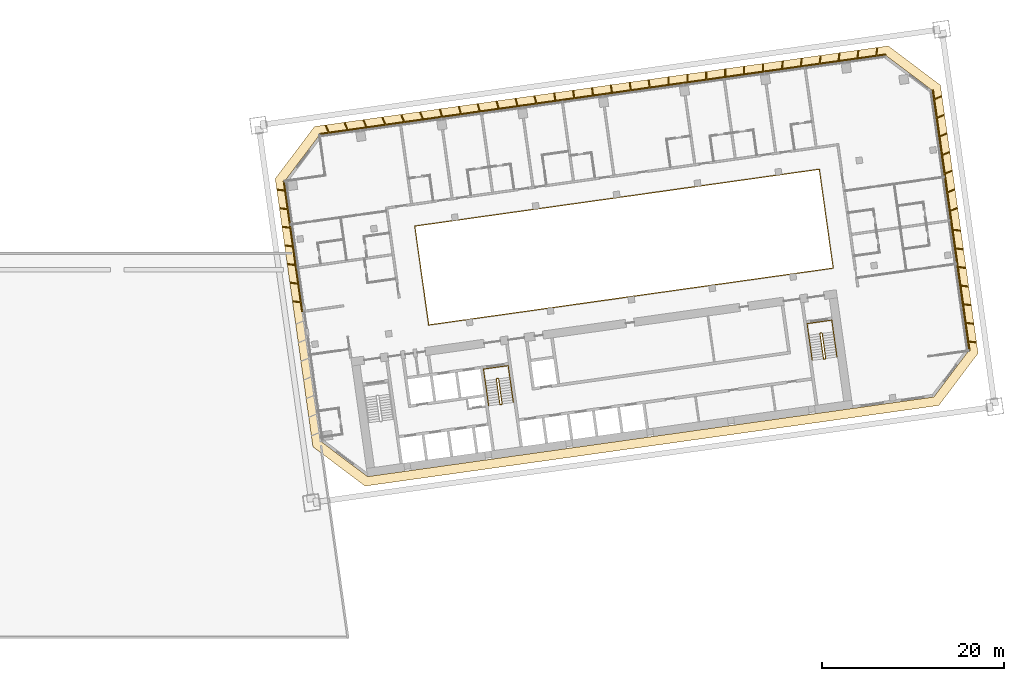
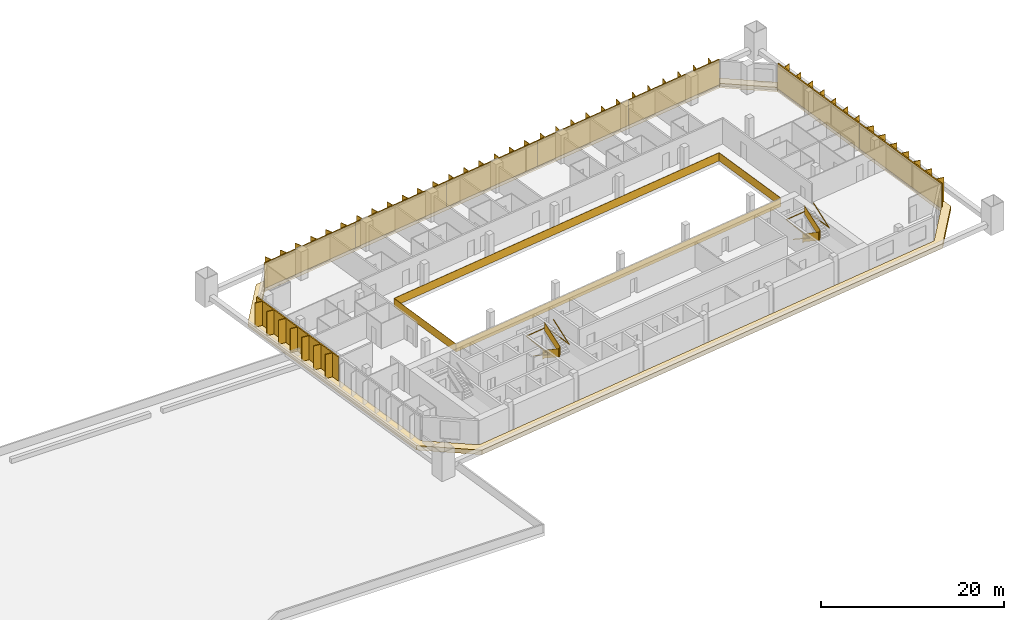
# One storey, part 46 of 46: 8 shading devices, 5 railings, 1 covering.
"""IFC4 building model written with IfcOpenShell, lengths in metres."""

from ifc_helpers import new_model, si_unit, direction, frame, origin, origin_2d, place, context, subcontext, project, spatial, polyline, rectangle, outline, extrude, material, layer, layer_set, type_object, element, save


model = new_model("IFC4")

# Units and contexts
model_context = context("Model", 3, precision=1e-05, world=origin(), true_north=direction((0.0, 1.0)))
body_context = subcontext(model_context, "Body", "Model", "MODEL_VIEW")
ifc_project = project(units=[si_unit("LENGTHUNIT", "METRE"), si_unit("AREAUNIT", "SQUARE_METRE"), si_unit("VOLUMEUNIT", "CUBIC_METRE"), si_unit("PLANEANGLEUNIT", "RADIAN"), si_unit("MASSUNIT", "GRAM", prefix="KILO")], contexts=[model_context])

# Site, building, storey
site_placement = place(None, origin())
site = spatial("IfcSite", under=ifc_project, at=site_placement, CompositionType="ELEMENT")
building_placement = place(site_placement, origin())
building = spatial("IfcBuilding", under=site, at=building_placement, Name="Mirante Cascada Hotel Towers", CompositionType="ELEMENT")
storey_placement = place(building_placement, frame((0.0, 0.0, 39.5)))
storey = spatial("IfcBuildingStorey", under=building, at=storey_placement, Name="L06", CompositionType="ELEMENT", Elevation=39.5)

# Railing
ifc_material_1 = material(Name="Toughened glass with stainless steel handrail", Category="steel")
railing_type_1 = type_object("IfcRailingType", Name="Atrium guard 1100 glass balustrade", PredefinedType="GUARDRAIL", material=ifc_material_1)
railing_1_placement = place(storey_placement, frame((43.8418, -3.4881, 0.0)))
element("IfcRailing", 1, at=railing_1_placement, inside=storey, type_object=railing_type_1, Name="GUARD 2-L06-1", PredefinedType="GUARDRAIL", context=body_context, shape_type="SweptSolid", body=[
    extrude(rectangle(XDim=0.048, YDim=0.048, at=origin_2d()), frame((0.0, 0.0, 1.076), z_axis=(0.9902681, 0.1391732, 0.0), x_axis=(-0.1391732, 0.9902681, 0.0)), (0.0, 0.0, 1.0), 45.0),
    extrude(rectangle(XDim=0.02, YDim=1.052, at=origin_2d()), frame((0.0, 0.0, 0.526), z_axis=(0.9902681, 0.1391732, 0.0), x_axis=(-0.1391732, 0.9902681, 0.0)), (0.0, 0.0, 1.0), 45.0),
    extrude(rectangle(XDim=0.048, YDim=0.048, at=origin_2d()), frame((44.5621, 6.2628, 1.076), z_axis=(-0.1391721, 0.9902682, 0.0), x_axis=(-0.9902682, -0.1391721, 0.0)), (0.0, 0.0, 1.0), 11.0001),
    extrude(rectangle(XDim=0.02, YDim=1.052, at=origin_2d()), frame((44.5621, 6.2628, 0.526), z_axis=(-0.1391721, 0.9902682, 0.0), x_axis=(-0.9902682, -0.1391721, 0.0)), (0.0, 0.0, 1.0), 11.0001),
    extrude(rectangle(XDim=0.048, YDim=0.048, at=origin_2d()), frame((43.0312, 17.1558, 1.076), z_axis=(-0.9902681, -0.1391732, 0.0), x_axis=(0.1391732, -0.9902681, 0.0)), (0.0, 0.0, 1.0), 45.0),
    extrude(rectangle(XDim=0.02, YDim=1.052, at=origin_2d()), frame((43.0312, 17.1558, 0.526), z_axis=(-0.9902681, -0.1391732, 0.0), x_axis=(0.1391732, -0.9902681, 0.0)), (0.0, 0.0, 1.0), 45.0),
    extrude(rectangle(XDim=0.048, YDim=0.048, at=origin_2d()), frame((-1.5309, 10.893, 1.076), z_axis=(0.1391721, -0.9902682, 0.0), x_axis=(0.9902682, 0.1391721, 0.0)), (0.0, 0.0, 1.0), 11.0001),
    extrude(rectangle(XDim=0.02, YDim=1.052, at=origin_2d()), frame((-1.5309, 10.893, 0.526), z_axis=(0.1391721, -0.9902682, 0.0), x_axis=(0.9902682, 0.1391721, 0.0)), (0.0, 0.0, 1.0), 11.0001),
])

# Covering
ifc_material_2 = material(Name="Precast concrete C40/50 white", Category="concrete")
ifc_layer = layer(ifc_material_2, 0.6)
ifc_layer_set = layer_set([ifc_layer], Name="Precast concrete SUNSHADE band 1000x600")
covering_type = type_object("IfcCoveringType", Name="Precast concrete SUNSHADE band 1000x600", PredefinedType="CLADDING", material=ifc_layer_set)
covering_placement = place(storey_placement, frame((0.0, 0.0, -0.45)))
element("IfcCovering", 2, at=covering_placement, inside=storey, type_object=covering_type, Name="Precast concrete SUNSHADE band T2 L06", PredefinedType="CLADDING", context=body_context, shape_type="SweptSolid", body=[
    extrude(outline(polyline([(26.9341, 12.6299), (31.2626, 18.374), (94.4698, 27.2572), (100.2139, 22.9287), (104.3652, -6.6094), (100.0367, -12.3535), (36.8295, -21.2367), (31.0854, -16.9082), (26.9341, 12.6299)]), holes=[polyline([(103.3173, -6.3384), (99.2813, 22.3794), (94.1988, 26.2093), (31.8119, 17.4414), (27.982, 12.3589), (32.018, -16.3589), (37.1005, -20.1888), (99.4874, -11.4209), (103.3173, -6.3384)])]), origin(), (0.0, 0.0, 1.0), 0.6),
])

# Railings
ifc_material_3 = material(Name="Painted steel", Category="steel")
railing_type_2 = type_object("IfcRailingType", Name="Stair guard 1100 steel balustrade", PredefinedType="GUARDRAIL", material=ifc_material_3)
railing_2_placement = place(storey_placement, frame((51.4864, -9.3815, 0.0)))
element("IfcRailing", 3, at=railing_2_placement, inside=storey, type_object=railing_type_2, Name="L06 ST2-B stair guard 1", PredefinedType="GUARDRAIL", context=body_context, shape_type="SweptSolid", body=[
    extrude(rectangle(XDim=0.048, YDim=0.048, at=origin_2d()), frame((0.0, 0.0, 1.076), z_axis=(-0.9902408, -0.1393672, 0.0), x_axis=(0.1393672, -0.9902408, 0.0)), (0.0, 0.0, 1.0), 0.15),
    extrude(rectangle(XDim=0.02, YDim=1.052, at=origin_2d()), frame((0.0, 0.0, 0.526), z_axis=(-0.9902408, -0.1393672, 0.0), x_axis=(0.1393672, -0.9902408, 0.0)), (0.0, 0.0, 1.0), 0.15),
    extrude(rectangle(XDim=0.048, YDim=0.048, at=origin_2d()), frame((-0.1485, -0.0209, 1.076), z_axis=(-0.6020331, -0.7984711, 0.0), x_axis=(0.7984711, -0.6020331, 0.0)), (0.0, 0.9253398, 0.3791387), 0.1866),
    extrude(rectangle(XDim=0.02, YDim=1.052, at=origin_2d()), frame((-0.1485, -0.0209, 0.526), z_axis=(-0.6020331, -0.7984711, 0.0), x_axis=(0.7984711, -0.6020331, 0.0)), (0.0, 0.9253398, 0.3791387), 0.1866),
    extrude(rectangle(XDim=0.048, YDim=0.048, at=origin_2d()), frame((-0.1911, -0.0774, 1.2487), z_axis=(0.139181, -0.990267, 0.0), x_axis=(0.990267, 0.139181, 0.0)), (0.0, 0.5250347, 0.8510808), 3.2899),
    extrude(rectangle(XDim=0.02, YDim=1.052, at=origin_2d()), frame((-0.1911, -0.0774, 0.6987), z_axis=(0.139181, -0.990267, 0.0), x_axis=(0.990267, 0.139181, 0.0)), (0.0, 0.5250347, 0.8510808), 3.2899),
    extrude(rectangle(XDim=0.048, YDim=0.048, at=origin_2d()), frame((0.1986, -2.8501, 2.976), z_axis=(0.9944441, -0.1052656, 0.0), x_axis=(0.1052656, 0.9944441, 0.0)), (0.0, 0.0, 1.0), 0.2061),
    extrude(rectangle(XDim=0.02, YDim=1.052, at=origin_2d()), frame((0.1986, -2.8501, 2.426), z_axis=(0.9944441, -0.1052656, 0.0), x_axis=(0.1052656, 0.9944441, 0.0)), (0.0, 0.0, 1.0), 0.2061),
    extrude(rectangle(XDim=0.048, YDim=0.048, at=origin_2d()), frame((0.4036, -2.8718, 2.976), z_axis=(-0.9902408, -0.1393672, 0.0), x_axis=(0.1393672, -0.9902408, 0.0)), (0.0, 0.0, 1.0), 0.15),
    extrude(rectangle(XDim=0.02, YDim=1.052, at=origin_2d()), frame((0.4036, -2.8718, 2.426), z_axis=(-0.9902408, -0.1393672, 0.0), x_axis=(0.1393672, -0.9902408, 0.0)), (0.0, 0.0, 1.0), 0.15),
    extrude(rectangle(XDim=0.048, YDim=0.048, at=origin_2d()), frame((0.2551, -2.8927, 2.976), z_axis=(0.9268624, 0.3754011, 0.0), x_axis=(-0.3754011, 0.9268624, 0.0)), (0.0, 0.6421217, 0.7666028), 0.269),
    extrude(rectangle(XDim=0.02, YDim=1.052, at=origin_2d()), frame((0.2551, -2.8927, 2.426), z_axis=(0.9268624, 0.3754011, 0.0), x_axis=(-0.3754011, 0.9268624, 0.0)), (0.0, 0.6421217, 0.7666028), 0.269),
    extrude(rectangle(XDim=0.048, YDim=0.048, at=origin_2d()), frame((0.4462, -2.8153, 3.1487), z_axis=(-0.139181, 0.990267, 0.0), x_axis=(-0.990267, -0.139181, 0.0)), (0.0, 0.5250347, 0.8510808), 3.2899),
    extrude(rectangle(XDim=0.02, YDim=1.052, at=origin_2d()), frame((0.4462, -2.8153, 2.5987), z_axis=(-0.139181, 0.990267, 0.0), x_axis=(-0.990267, -0.139181, 0.0)), (0.0, 0.5250347, 0.8510808), 3.2899),
])
railing_3_placement = place(storey_placement, frame((87.1361, -4.3713, 0.0)))
element("IfcRailing", 4, at=railing_3_placement, inside=storey, type_object=railing_type_2, Name="L06 ST2-C stair guard 1", PredefinedType="GUARDRAIL", context=body_context, shape_type="SweptSolid", body=[
    extrude(rectangle(XDim=0.048, YDim=0.048, at=origin_2d()), frame((0.0, 0.0, 1.076), z_axis=(-0.9902537, -0.1392753, 0.0), x_axis=(0.1392753, -0.9902537, 0.0)), (0.0, 0.0, 1.0), 0.1501),
    extrude(rectangle(XDim=0.02, YDim=1.052, at=origin_2d()), frame((0.0, 0.0, 0.526), z_axis=(-0.9902537, -0.1392753, 0.0), x_axis=(0.1392753, -0.9902537, 0.0)), (0.0, 0.0, 1.0), 0.1501),
    extrude(rectangle(XDim=0.048, YDim=0.048, at=origin_2d()), frame((-0.1486, -0.0209, 1.076), z_axis=(-0.601811, -0.7986386, 0.0), x_axis=(0.7986386, -0.601811, 0.0)), (0.0, 0.925603, 0.3784959), 0.1866),
    extrude(rectangle(XDim=0.02, YDim=1.052, at=origin_2d()), frame((-0.1486, -0.0209, 0.526), z_axis=(-0.601811, -0.7986386, 0.0), x_axis=(0.7986386, -0.601811, 0.0)), (0.0, 0.925603, 0.3784959), 0.1866),
    extrude(rectangle(XDim=0.048, YDim=0.048, at=origin_2d()), frame((-0.1911, -0.0773, 1.2487), z_axis=(0.139176, -0.9902677, 0.0), x_axis=(0.9902677, 0.139176, 0.0)), (0.0, 0.5250212, 0.8510891), 3.29),
    extrude(rectangle(XDim=0.02, YDim=1.052, at=origin_2d()), frame((-0.1911, -0.0773, 0.6987), z_axis=(0.139176, -0.9902677, 0.0), x_axis=(0.9902677, 0.139176, 0.0)), (0.0, 0.5250212, 0.8510891), 3.29),
    extrude(rectangle(XDim=0.048, YDim=0.048, at=origin_2d()), frame((0.1986, -2.8501, 2.976), z_axis=(0.9944441, -0.1052656, 0.0), x_axis=(0.1052656, 0.9944441, 0.0)), (0.0, 0.0, 1.0), 0.2061),
    extrude(rectangle(XDim=0.02, YDim=1.052, at=origin_2d()), frame((0.1986, -2.8501, 2.426), z_axis=(0.9944441, -0.1052656, 0.0), x_axis=(0.1052656, 0.9944441, 0.0)), (0.0, 0.0, 1.0), 0.2061),
    extrude(rectangle(XDim=0.048, YDim=0.048, at=origin_2d()), frame((0.4036, -2.8718, 2.976), z_axis=(-0.9903454, -0.1386217, 0.0), x_axis=(0.1386217, -0.9903454, 0.0)), (0.0, 0.0, 1.0), 0.15),
    extrude(rectangle(XDim=0.02, YDim=1.052, at=origin_2d()), frame((0.4036, -2.8718, 2.426), z_axis=(-0.9903454, -0.1386217, 0.0), x_axis=(0.1386217, -0.9903454, 0.0)), (0.0, 0.0, 1.0), 0.15),
    extrude(rectangle(XDim=0.048, YDim=0.048, at=origin_2d()), frame((0.255, -2.8926, 2.976), z_axis=(0.9270311, 0.3749843, 0.0), x_axis=(-0.3749843, 0.9270311, 0.0)), (0.0, 0.6421903, 0.7665452), 0.2689),
    extrude(rectangle(XDim=0.02, YDim=1.052, at=origin_2d()), frame((0.255, -2.8926, 2.426), z_axis=(0.9270311, 0.3749843, 0.0), x_axis=(-0.3749843, 0.9270311, 0.0)), (0.0, 0.6421903, 0.7665452), 0.2689),
    extrude(rectangle(XDim=0.048, YDim=0.048, at=origin_2d()), frame((0.4461, -2.8153, 3.1487), z_axis=(-0.139176, 0.9902677, 0.0), x_axis=(-0.9902677, -0.139176, 0.0)), (0.0, 0.5250212, 0.8510891), 3.29),
    extrude(rectangle(XDim=0.02, YDim=1.052, at=origin_2d()), frame((0.4461, -2.8153, 2.5987), z_axis=(-0.139176, 0.9902677, 0.0), x_axis=(-0.9902677, -0.139176, 0.0)), (0.0, 0.5250212, 0.8510891), 3.29),
])
ifc_material_4 = material(Name="Painted steel", Category="steel")
railing_type_3 = type_object("IfcRailingType", Name="Stair handrail 900 steel tube", PredefinedType="HANDRAIL", material=ifc_material_4)
railing_4_placement = place(storey_placement, frame((50.0575, -9.6328, 0.1727)))
element("IfcRailing", 5, at=railing_4_placement, inside=storey, type_object=railing_type_3, Name="L06 ST2-B stair handrail 1", PredefinedType="HANDRAIL", context=body_context, shape_type="SweptSolid", body=[
    extrude(rectangle(XDim=0.048, YDim=0.048, at=origin_2d()), frame((0.0, 0.0, 0.876), z_axis=(0.139176, -0.9902677, 0.0), x_axis=(0.9902677, 0.139176, 0.0)), (0.0, 0.5250212, 0.8510891), 3.29),
    extrude(rectangle(XDim=0.048, YDim=0.048, at=origin_2d()), frame((0.3897, -2.7728, 2.6033), z_axis=(-0.1391707, 0.9902684, 0.0), x_axis=(-0.9902684, -0.1391707, 0.0)), (0.0, 0.0420846, 0.999114), 4.1036),
    extrude(rectangle(XDim=0.048, YDim=0.048, at=origin_2d()), frame((-0.1809, 1.2873, 2.776), z_axis=(0.9902641, 0.1392013, 0.0), x_axis=(-0.1392013, 0.9902641, 0.0)), (0.0, 0.0, 1.0), 2.75),
    extrude(rectangle(XDim=0.048, YDim=0.048, at=origin_2d()), frame((2.5423, 1.6701, 2.776), z_axis=(0.1391707, -0.9902684, 0.0), x_axis=(0.9902684, 0.1391707, 0.0)), (0.0, 0.0, 1.0), 4.1),
    extrude(rectangle(XDim=0.048, YDim=0.048, at=origin_2d()), frame((3.1129, -2.39, 2.776), z_axis=(-0.139181, 0.990267, 0.0), x_axis=(-0.990267, -0.139181, 0.0)), (0.0, 0.5250347, 0.8510808), 3.2899),
])
railing_5_placement = place(storey_placement, frame((85.7071, -4.6226, 0.1727)))
element("IfcRailing", 6, at=railing_5_placement, inside=storey, type_object=railing_type_3, Name="L06 ST2-C stair handrail 1", PredefinedType="HANDRAIL", context=body_context, shape_type="SweptSolid", body=[
    extrude(rectangle(XDim=0.048, YDim=0.048, at=origin_2d()), frame((0.0, 0.0, 0.876), z_axis=(0.139181, -0.990267, 0.0), x_axis=(0.990267, 0.139181, 0.0)), (0.0, 0.5250347, 0.8510808), 3.2899),
    extrude(rectangle(XDim=0.048, YDim=0.048, at=origin_2d()), frame((0.3897, -2.7727, 2.6033), z_axis=(-0.1391707, 0.9902684, 0.0), x_axis=(-0.9902684, -0.1391707, 0.0)), (0.0, 0.0420846, 0.999114), 4.1036),
    extrude(rectangle(XDim=0.048, YDim=0.048, at=origin_2d()), frame((-0.1809, 1.2874, 2.776), z_axis=(0.9902691, 0.1391657, 0.0), x_axis=(-0.1391657, 0.9902691, 0.0)), (0.0, 0.0, 1.0), 2.75),
    extrude(rectangle(XDim=0.048, YDim=0.048, at=origin_2d()), frame((2.5423, 1.6701, 2.776), z_axis=(0.1391947, -0.990265, 0.0), x_axis=(0.990265, 0.1391947, 0.0)), (0.0, 0.0, 1.0), 4.1),
    extrude(rectangle(XDim=0.048, YDim=0.048, at=origin_2d()), frame((3.113, -2.39, 2.776), z_axis=(-0.139181, 0.990267, 0.0), x_axis=(-0.990267, -0.139181, 0.0)), (0.0, 0.5250347, 0.8510808), 3.2899),
])

# Shading devices
ifc_material_5 = material(Name="White precast concrete C50/60 fin", Category="concrete")
shading_device_type = type_object("IfcShadingDeviceType", Name="Vertical fin set 4500x900", PredefinedType="USERDEFINED", material=ifc_material_5)
shading_device_1_placement = place(storey_placement, origin())
element("IfcShadingDevice", 7, at=shading_device_1_placement, inside=storey, type_object=shading_device_type, Name="FIN T2 L06 front 1", ObjectType="FIN", PredefinedType="USERDEFINED", context=body_context, shape_type="SweptSolid", body=[
    extrude(outline(polyline([(82.8967, 25.5893), (82.7946, 24.758), (84.7922, 25.0387), (84.8968, 25.8913), (84.9762, 25.8815), (84.8742, 25.0503), (86.8717, 25.331), (86.9764, 26.1835), (87.0558, 26.1738), (86.9537, 25.3425), (88.9513, 25.6233), (89.056, 26.4758), (89.1354, 26.4661), (89.0333, 25.6348), (91.0308, 25.9155), (91.1355, 26.7681), (91.2149, 26.7583), (91.1129, 25.9271), (93.1104, 26.2078), (93.2151, 27.0603), (93.2945, 27.0506), (93.1924, 26.2193), (94.1779, 26.3578), (94.1988, 26.2093), (81.7214, 24.4557), (81.7006, 24.6042), (82.7126, 24.7465), (82.8173, 25.599), (82.8967, 25.5893)])), origin(), (0.0, 0.0, 1.0), 3.35),
])
shading_device_2_placement = place(storey_placement, origin())
element("IfcShadingDevice", 8, at=shading_device_2_placement, inside=storey, type_object=shading_device_type, Name="FIN T2 L06 front 2", ObjectType="FIN", PredefinedType="USERDEFINED", context=body_context, shape_type="SweptSolid", body=[
    extrude(outline(polyline([(70.3021, 23.8476), (70.3094, 23.0033), (72.3091, 23.2844), (72.3016, 24.1392), (72.3816, 24.1399), (72.389, 23.2956), (74.3886, 23.5766), (74.3812, 24.4314), (74.4612, 24.4321), (74.4686, 23.5878), (76.4682, 23.8689), (76.4608, 24.7237), (76.5407, 24.7244), (76.5481, 23.8801), (78.5478, 24.1611), (78.5403, 25.0159), (78.6203, 25.0166), (78.6277, 24.1724), (80.6273, 24.4534), (80.6199, 25.3082), (80.6999, 25.3089), (80.7072, 24.4646), (81.7006, 24.6042), (81.7214, 24.4557), (69.2441, 22.7021), (69.2232, 22.8507), (70.2295, 22.9921), (70.2221, 23.8469), (70.3021, 23.8476)])), origin(), (0.0, 0.0, 1.0), 3.35),
])
shading_device_3_placement = place(storey_placement, origin())
element("IfcShadingDevice", 9, at=shading_device_3_placement, inside=storey, type_object=shading_device_type, Name="FIN T2 L06 front 3", ObjectType="FIN", PredefinedType="USERDEFINED", context=body_context, shape_type="SweptSolid", body=[
    extrude(outline(polyline([(57.7069, 22.0905), (57.8252, 21.2488), (59.8255, 21.5299), (59.7072, 22.3716), (59.7865, 22.3828), (59.9048, 21.541), (61.9051, 21.8222), (61.7868, 22.6639), (61.866, 22.675), (61.9843, 21.8333), (63.9847, 22.1144), (63.8664, 22.9562), (63.9456, 22.9673), (64.0639, 22.1256), (66.0642, 22.4067), (65.9459, 23.2484), (66.0251, 23.2596), (66.1434, 22.4178), (68.1438, 22.699), (68.0255, 23.5407), (68.1047, 23.5518), (68.223, 22.7101), (69.2232, 22.8507), (69.2441, 22.7021), (56.7667, 20.9485), (56.7458, 21.0971), (57.746, 21.2376), (57.6277, 22.0794), (57.7069, 22.0905)])), origin(), (0.0, 0.0, 1.0), 3.35),
])
shading_device_4_placement = place(storey_placement, origin())
element("IfcShadingDevice", 10, at=shading_device_4_placement, inside=storey, type_object=shading_device_type, Name="FIN T2 L06 front 4", ObjectType="FIN", PredefinedType="USERDEFINED", context=body_context, shape_type="SweptSolid", body=[
    extrude(outline(polyline([(45.1132, 20.3181), (45.3416, 19.4943), (47.3413, 19.7754), (47.1157, 20.589), (47.1928, 20.6103), (47.4212, 19.7866), (49.4209, 20.0676), (49.1952, 20.8812), (49.2723, 20.9026), (49.5008, 20.0789), (51.5004, 20.3599), (51.2748, 21.1735), (51.3519, 21.1949), (51.5803, 20.3711), (53.58, 20.6521), (53.3544, 21.4657), (53.4314, 21.4871), (53.6599, 20.6634), (55.6595, 20.9444), (55.4339, 21.758), (55.511, 21.7794), (55.7394, 20.9556), (56.7458, 21.0971), (56.7667, 20.9485), (44.2893, 19.195), (44.2684, 19.3435), (45.2617, 19.4831), (45.0361, 20.2967), (45.1132, 20.3181)])), origin(), (0.0, 0.0, 1.0), 3.35),
])
shading_device_5_placement = place(storey_placement, origin())
element("IfcShadingDevice", 11, at=shading_device_5_placement, inside=storey, type_object=shading_device_type, Name="FIN T2 L06 front 5", ObjectType="FIN", PredefinedType="USERDEFINED", context=body_context, shape_type="SweptSolid", body=[
    extrude(outline(polyline([(32.5229, 18.5306), (32.8586, 17.7399), (34.8561, 18.0207), (34.5289, 18.7916), (34.6025, 18.8229), (34.9381, 18.0322), (36.9357, 18.3129), (36.6084, 19.0839), (36.6821, 19.1151), (37.0177, 18.3245), (39.0152, 18.6052), (38.688, 19.3761), (38.7616, 19.4074), (39.0973, 18.6167), (41.0948, 18.8975), (40.7676, 19.6684), (40.8412, 19.6997), (41.1768, 18.909), (43.1744, 19.1897), (42.8471, 19.9607), (42.9208, 19.9919), (43.2564, 19.2013), (44.2684, 19.3435), (44.2893, 19.195), (31.8119, 17.4414), (31.791, 17.5899), (32.7765, 17.7284), (32.4493, 18.4994), (32.5229, 18.5306)])), origin(), (0.0, 0.0, 1.0), 3.35),
])
shading_device_6_placement = place(storey_placement, origin())
element("IfcShadingDevice", 12, at=shading_device_6_placement, inside=storey, type_object=shading_device_type, Name="FIN T2 L06 inner 1", ObjectType="FIN", PredefinedType="USERDEFINED", context=body_context, shape_type="SweptSolid", body=[
    extrude(outline(polyline([(28.8684, -0.8389), (29.6997, -0.941), (29.4229, 1.0283), (28.5704, 1.133), (28.5801, 1.2124), (29.4114, 1.1103), (29.1346, 3.0796), (28.2821, 3.1842), (28.2918, 3.2636), (29.1231, 3.1616), (28.8464, 5.1308), (27.9938, 5.2355), (28.0036, 5.3149), (28.8348, 5.2128), (28.5581, 7.1821), (27.7055, 7.2868), (27.7153, 7.3662), (28.5465, 7.2641), (28.2698, 9.2334), (27.4172, 9.338), (27.427, 9.4174), (28.2583, 9.3154), (27.9815, 11.2846), (27.1289, 11.3893), (27.1387, 11.4687), (27.97, 11.3667), (27.8334, 12.338), (27.982, 12.3589), (30.0, -2.0), (29.8515, -2.0209), (29.7112, -1.023), (28.8587, -0.9183), (28.8684, -0.8389)])), origin(), (0.0, 0.0, 1.0), 3.35),
])
shading_device_7_placement = place(storey_placement, origin())
element("IfcShadingDevice", 13, at=shading_device_7_placement, inside=storey, type_object=shading_device_type, Name="FIN T2 L06 outer 1", ObjectType="FIN", PredefinedType="USERDEFINED", context=body_context, shape_type="SweptSolid", body=[
    extrude(outline(polyline([(104.1606, -5.4483), (103.3293, -5.3462), (103.4659, -6.3175), (103.3173, -6.3384), (101.2993, 8.0205), (101.4478, 8.0413), (101.5881, 7.0434), (102.4406, 6.9388), (102.4309, 6.8594), (101.5996, 6.9614), (101.8764, 4.9922), (102.7289, 4.8875), (102.7192, 4.8081), (101.8879, 4.9102), (102.1647, 2.9409), (103.0172, 2.8362), (103.0075, 2.7568), (102.1762, 2.8589), (102.4529, 0.8896), (103.3055, 0.785), (103.2957, 0.7056), (102.4645, 0.8076), (102.7412, -1.1616), (103.5938, -1.2663), (103.584, -1.3457), (102.7528, -1.2436), (103.0295, -3.2129), (103.8821, -3.3176), (103.8723, -3.397), (103.041, -3.2949), (103.3178, -5.2642), (104.1704, -5.3689), (104.1606, -5.4483)])), origin(), (0.0, 0.0, 1.0), 3.35),
])
shading_device_8_placement = place(storey_placement, origin())
element("IfcShadingDevice", 14, at=shading_device_8_placement, inside=storey, type_object=shading_device_type, Name="FIN T2 L06 outer 2", ObjectType="FIN", PredefinedType="USERDEFINED", context=body_context, shape_type="SweptSolid", body=[
    extrude(outline(polyline([(102.0983, 9.3749), (101.3076, 9.0392), (101.4478, 8.0413), (101.2993, 8.0205), (99.2813, 22.3794), (99.4298, 22.4002), (99.5663, 21.4289), (100.3373, 21.7561), (100.3685, 21.6825), (99.5779, 21.3469), (99.8546, 19.3776), (100.6256, 19.7048), (100.6568, 19.6312), (99.8662, 19.2956), (100.1429, 17.3263), (100.9139, 17.6536), (100.9451, 17.5799), (100.1544, 17.2443), (100.4312, 15.2751), (101.2021, 15.6023), (101.2334, 15.5287), (100.4427, 15.193), (100.7195, 13.2238), (101.4904, 13.551), (101.5217, 13.4774), (100.731, 13.1418), (101.0078, 11.1725), (101.7787, 11.4998), (101.81, 11.4261), (101.0193, 11.0905), (101.2961, 9.1212), (102.067, 9.4485), (102.0983, 9.3749)])), origin(), (0.0, 0.0, 1.0), 3.35),
])

save(model, "model.ifc")
